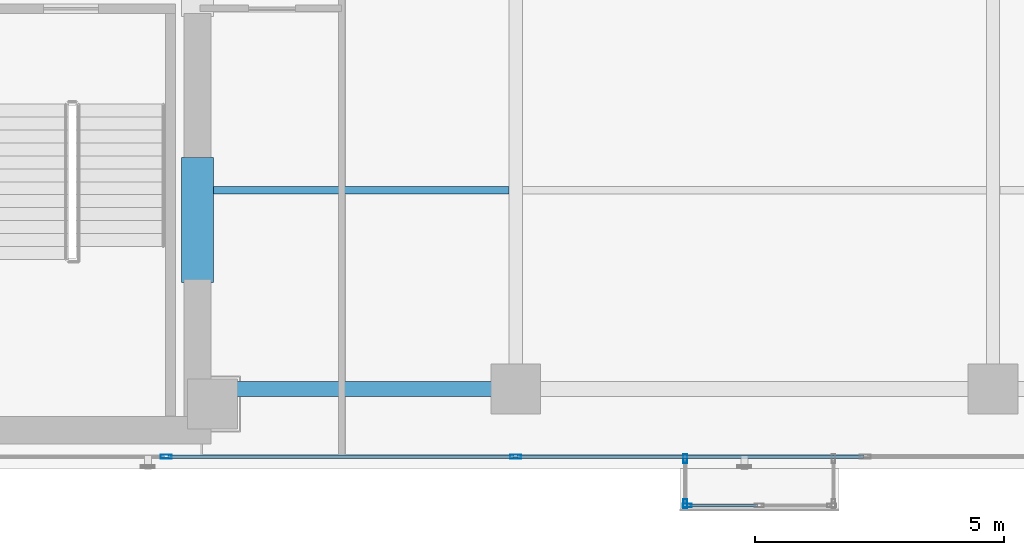
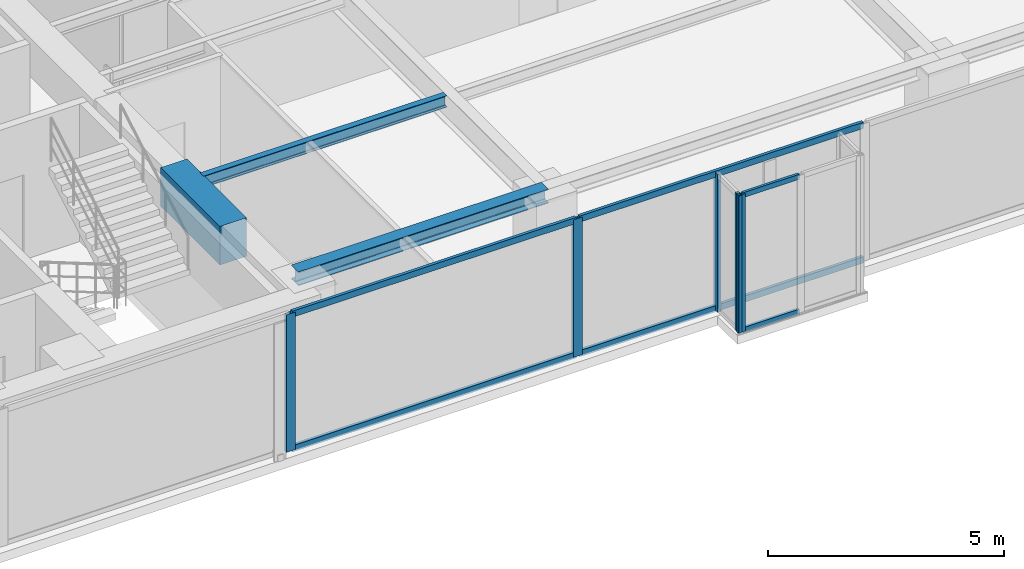
# One storey, part 4 of 23: 11 members, 3 beams, 3 elements without a shape of their own.
"""IFC4 building model written with IfcOpenShell, lengths in metres."""

from ifc_helpers import new_model, si_unit, direction, frame, origin, origin_with_axes, origin_2d, place, context, subcontext, project, spatial, rectangle, hollow_rectangle, i_section, extrude, source, transform, mapped, material, layer, layer_set, material_profile, profile_set, type_object, element, aggregate, save


model = new_model("IFC4")

# Units and contexts
model_context = context("Model", 3, precision=1e-05, world=origin(), true_north=direction((0.0, 1.0)))
body_context = subcontext(model_context, "Body", "Model", "MODEL_VIEW")
ifc_project = project(units=[si_unit("LENGTHUNIT", "METRE"), si_unit("AREAUNIT", "SQUARE_METRE"), si_unit("VOLUMEUNIT", "CUBIC_METRE"), si_unit("PLANEANGLEUNIT", "RADIAN"), si_unit("MASSUNIT", "GRAM", prefix="KILO")], contexts=[model_context])

# Site, building, storey
site_placement = place(None, origin())
site = spatial("IfcSite", under=ifc_project, at=site_placement, CompositionType="ELEMENT")
building_placement = place(site_placement, origin())
building = spatial("IfcBuilding", under=site, at=building_placement, Name="Kolvaren Waterfront Exchange", CompositionType="ELEMENT")
storey_placement = place(building_placement, frame((0.0, 0.0, 250.10009765625)))
storey = spatial("IfcBuildingStorey", under=building, at=storey_placement, Name="L64", CompositionType="ELEMENT", Elevation=250.10009765625)

# Beams
ifc_material_1 = material(Name="Steel S355", Category="steel")
ifc_material_profile_1 = material_profile(ifc_material_1, i_section(OverallWidth=0.300048828125, OverallDepth=0.360107421875, WebThickness=0.012451171875, FlangeThickness=0.0224609375, FilletRadius=0.027099609375, at=origin_2d()), Name="HEB360")
ifc_profile_set_1 = profile_set([ifc_material_profile_1], Name="Steel S355")
beam_type_1 = type_object("IfcBeamType", Name="STR-BM-HEB360", PredefinedType="SPANDREL", material=ifc_profile_set_1)
beam_1_placement = place(storey_placement, frame((21.074951171875, 5.199951171875, 3.3798828125), z_axis=(1.0, 0.0, 0.0), x_axis=(0.0, 1.0, 0.0)))
element("IfcBeam", 1, at=beam_1_placement, inside=storey, type_object=beam_type_1, Name="L64 east-arm spandrel S1", PredefinedType="SPANDREL", context=body_context, shape_type="SweptSolid", body=[
    extrude(i_section(OverallWidth=0.300048828125, OverallDepth=0.360107421875, WebThickness=0.012451171875, FlangeThickness=0.0224609375, FilletRadius=0.027099609375, at=origin_2d()), origin(), (0.0, 0.0, 1.0), 6.125),
])
ifc_material_profile_2 = material_profile(ifc_material_1, i_section(OverallWidth=0.14990234375, OverallDepth=0.300048828125, WebThickness=0.007080078125, FlangeThickness=0.0107421875, FilletRadius=0.014892578125, at=origin_2d()), Name="IPE300")
ifc_profile_set_2 = profile_set([ifc_material_profile_2], Name="Steel S355")
beam_type_2 = type_object("IfcBeamType", Name="STR-BM-IPE300", PredefinedType="JOIST", material=ifc_profile_set_2)
beam_2_placement = place(storey_placement, frame((21.10009765625, 9.199951171875, 3.409912109375), z_axis=(1.0, 0.0, 0.0), x_axis=(0.0, 1.0, 0.0)))
element("IfcBeam", 2, at=beam_2_placement, inside=storey, type_object=beam_type_2, Name="L64 east-arm composite joist 1B", PredefinedType="JOIST", context=body_context, shape_type="SweptSolid", body=[
    extrude(i_section(OverallWidth=0.14990234375, OverallDepth=0.300048828125, WebThickness=0.007080078125, FlangeThickness=0.0107421875, FilletRadius=0.014892578125, at=origin_2d()), origin(), (0.0, 0.0, 1.0), 5.96435546875),
])
ifc_material_2 = material(Name="Concrete C60/75", Category="concrete")
ifc_material_profile_3 = material_profile(ifc_material_2, rectangle(XDim=0.64990234375, YDim=1.0, at=origin_2d()), Name="RC-CB-1000x650")
ifc_profile_set_3 = profile_set([ifc_material_profile_3], Name="Concrete C60/75")
beam_type_3 = type_object("IfcBeamType", Name="STR-CB-1000", PredefinedType="SPANDREL", material=ifc_profile_set_3)
beam_3_placement = place(storey_placement, frame((20.800048828125, 7.340087890625, 3.059814453125), z_axis=(0.0, 1.0, 0.0), x_axis=(-1.0, 0.0, 0.0)))
element("IfcBeam", 3, at=beam_3_placement, inside=storey, type_object=beam_type_3, Name="L64 core coupling beam 1", PredefinedType="SPANDREL", context=body_context, shape_type="SweptSolid", body=[
    extrude(rectangle(XDim=0.64990234375, YDim=1.0, at=origin_2d()), origin(), (0.0, 0.0, 1.0), 2.52001953125),
])

# Curtain wall, members
ifc_material_3 = material(Name="Anodised bronze aluminium 6063-T6", Category="aluminium")
ifc_layer_1 = layer(ifc_material_3, 0.219970703125, Name="Anodised bronze aluminium 6063-T6")
ifc_layer_set_1 = layer_set([ifc_layer_1], Name="Anodised bronze aluminium 6063-T6")
curtain_wall_type_1 = type_object("IfcCurtainWallType", Name="ARC-CW-SYS3", PredefinedType="USERDEFINED", material=ifc_layer_set_1)
curtain_wall_1_placement = place(storey_placement, origin())
curtain_wall_1 = element("IfcCurtainWall", 4, at=curtain_wall_1_placement, inside=storey, type_object=curtain_wall_type_1, Name="L64 stick curtain wall CW3 (CW-L64-BOX)", ObjectType="STICK CURTAIN WALL", PredefinedType="USERDEFINED")
ifc_material_profile_4 = material_profile(ifc_material_3, hollow_rectangle(XDim=0.06494140625, YDim=0.1298828125, WallThickness=0.00390625, at=origin_2d()), Name="ALU-TRN-130x65x4")
ifc_profile_set_4 = profile_set([ifc_material_profile_4], Name="Anodised bronze aluminium 6063-T6")
member_type_1 = type_object("IfcMemberType", Name="ARC-CWT-130", PredefinedType="USERDEFINED", material=ifc_profile_set_4)
shared_shape_1 = source(origin_with_axes(), body_context, "Body", "SweptSolid", [
    extrude(hollow_rectangle(XDim=0.06494140625, YDim=0.1298828125, WallThickness=0.00390625, at=origin_2d()), origin(), (0.0, 0.0, 1.0), 1.37744140625),
])
member_1_placement = place(storey_placement, frame((30.68505859375, 2.860107421875, 0.032470703125), z_axis=(1.0, 0.0, 0.0), x_axis=(0.0, 1.0, 0.0)))
member_1 = element("IfcMember", 5, at=member_1_placement, type_object=member_type_1, Name="CW3 transom 1.1", ObjectType="TRANSOM", PredefinedType="USERDEFINED", context=body_context, shape_type="MappedRepresentation", body=[
    mapped(shared_shape_1, transform((0.0, 0.0, 0.0), x_axis=(1.0, 0.0, 0.0), y_axis=(0.0, 1.0, 0.0), z_axis=(0.0, 0.0, 1.0), scale=1.0)),
])
member_2_placement = place(storey_placement, frame((30.68505859375, 2.860107421875, 3.52734375), z_axis=(1.0, 0.0, 0.0), x_axis=(0.0, 1.0, 0.0)))
member_2 = element("IfcMember", 6, at=member_2_placement, type_object=member_type_1, Name="CW3 transom 1.2", ObjectType="TRANSOM", PredefinedType="USERDEFINED", context=body_context, shape_type="MappedRepresentation", body=[
    mapped(shared_shape_1, transform((0.0, 0.0, 0.0), x_axis=(1.0, 0.0, 0.0), y_axis=(0.0, 1.0, 0.0), z_axis=(0.0, 0.0, 1.0), scale=1.0)),
])

curtain_wall_2_placement = place(storey_placement, origin())
curtain_wall_2 = element("IfcCurtainWall", 7, at=curtain_wall_2_placement, inside=storey, type_object=curtain_wall_type_1, Name="L64 stick curtain wall CW3 (CW-L64-BOX-W)", ObjectType="STICK CURTAIN WALL", PredefinedType="USERDEFINED")
ifc_material_profile_5 = material_profile(ifc_material_3, hollow_rectangle(XDim=0.074951171875, YDim=0.179931640625, WallThickness=0.00439453125, at=origin_2d()), Name="ALU-MUL-180x75x4.5")
ifc_profile_set_5 = profile_set([ifc_material_profile_5], Name="Anodised bronze aluminium 6063-T6")
member_type_2 = type_object("IfcMemberType", Name="ARC-CWM-180", PredefinedType="MULLION", material=ifc_profile_set_5)
shared_shape_2 = source(origin_with_axes(), body_context, "Body", "SweptSolid", [
    extrude(hollow_rectangle(XDim=0.074951171875, YDim=0.179931640625, WallThickness=0.00439453125, at=origin_2d()), origin(), (0.0, 0.0, 1.0), 3.559814453125),
])
member_3_placement = place(storey_placement, frame((30.610107421875, 3.802490234375, 0.0), z_axis=(0.0, 0.0, 1.0), x_axis=(1.0, 0.0, 0.0)))
member_3 = element("IfcMember", 8, at=member_3_placement, type_object=member_type_2, Name="CW3 mullion 1", PredefinedType="MULLION", context=body_context, shape_type="MappedRepresentation", body=[
    mapped(shared_shape_2, transform((0.0, 0.0, 0.0), x_axis=(1.0, 0.0, 0.0), y_axis=(0.0, 1.0, 0.0), z_axis=(0.0, 0.0, 1.0), scale=1.0)),
])
member_4_placement = place(storey_placement, frame((30.610107421875, 2.8974609375, 0.0), z_axis=(0.0, 0.0, 1.0), x_axis=(1.0, 0.0, 0.0)))
member_4 = element("IfcMember", 9, at=member_4_placement, type_object=member_type_2, Name="CW3 mullion 2", PredefinedType="MULLION", context=body_context, shape_type="MappedRepresentation", body=[
    mapped(shared_shape_2, transform((0.0, 0.0, 0.0), x_axis=(1.0, 0.0, 0.0), y_axis=(0.0, 1.0, 0.0), z_axis=(0.0, 0.0, 1.0), scale=1.0)),
])
aggregate(curtain_wall_2, [member_3, member_4])

# Member
member_5_placement = place(storey_placement, frame((30.6474609375, 2.860107421875, 0.0), z_axis=(0.0, 0.0, 1.0), x_axis=(0.0, 1.0, 0.0)))
member_5 = element("IfcMember", 10, at=member_5_placement, type_object=member_type_2, Name="CW3 mullion 1", PredefinedType="MULLION", context=body_context, shape_type="MappedRepresentation", body=[
    mapped(shared_shape_2, transform((0.0, 0.0, 0.0), x_axis=(1.0, 0.0, 0.0), y_axis=(0.0, 1.0, 0.0), z_axis=(0.0, 0.0, 1.0), scale=1.0)),
])

aggregate(curtain_wall_1, [member_5, member_1, member_2])

# Curtain wall, members
ifc_layer_2 = layer(ifc_material_3, 0.219970703125, Name="Anodised bronze aluminium 6063-T6")
ifc_layer_set_2 = layer_set([ifc_layer_2], Name="Anodised bronze aluminium 6063-T6")
curtain_wall_type_2 = type_object("IfcCurtainWallType", Name="ARC-CW-SYS1", PredefinedType="USERDEFINED", material=ifc_layer_set_2)
curtain_wall_3_placement = place(storey_placement, origin())
curtain_wall_3 = element("IfcCurtainWall", 11, at=curtain_wall_3_placement, inside=storey, type_object=curtain_wall_type_2, Name="L64 stick curtain wall CW1 (CW-L64-S)", ObjectType="STICK CURTAIN WALL", PredefinedType="USERDEFINED")
ifc_material_4 = material(Name="Anodised aluminium 6063-T6", Category="aluminium")
ifc_material_profile_6 = material_profile(ifc_material_4, hollow_rectangle(XDim=0.080078125, YDim=0.219970703125, WallThickness=0.0048828125, at=origin_2d()), Name="ALU-MUL-220x80x5")
ifc_profile_set_6 = profile_set([ifc_material_profile_6], Name="Anodised aluminium 6063-T6")
member_type_3 = type_object("IfcMemberType", Name="ARC-CWM-220", PredefinedType="MULLION", material=ifc_profile_set_6)
shared_shape_3 = source(origin_with_axes(), body_context, "Body", "SweptSolid", [
    extrude(hollow_rectangle(XDim=0.080078125, YDim=0.219970703125, WallThickness=0.0048828125, at=origin_2d()), origin(), (0.0, 0.0, 1.0), 3.559814453125),
])
member_6_placement = place(storey_placement, frame((20.166748046875, 3.840087890625, 0.0), z_axis=(0.0, 0.0, 1.0), x_axis=(0.0, 1.0, 0.0)))
member_6 = element("IfcMember", 12, at=member_6_placement, type_object=member_type_3, Name="CW1 mullion 3", PredefinedType="MULLION", context=body_context, shape_type="MappedRepresentation", body=[
    mapped(shared_shape_3, transform((0.0, 0.0, 0.0), x_axis=(1.0, 0.0, 0.0), y_axis=(0.0, 1.0, 0.0), z_axis=(0.0, 0.0, 1.0), scale=1.0)),
])
member_7_placement = place(storey_placement, frame((27.199951171875, 3.840087890625, 0.0), z_axis=(0.0, 0.0, 1.0), x_axis=(0.0, 1.0, 0.0)))
member_7 = element("IfcMember", 13, at=member_7_placement, type_object=member_type_3, Name="CW1 mullion 4", PredefinedType="MULLION", context=body_context, shape_type="MappedRepresentation", body=[
    mapped(shared_shape_3, transform((0.0, 0.0, 0.0), x_axis=(1.0, 0.0, 0.0), y_axis=(0.0, 1.0, 0.0), z_axis=(0.0, 0.0, 1.0), scale=1.0)),
])
ifc_material_profile_7 = material_profile(ifc_material_4, hollow_rectangle(XDim=0.074951171875, YDim=0.159912109375, WallThickness=0.00439453125, at=origin_2d()), Name="ALU-TRN-160x75x4.5")
ifc_profile_set_7 = profile_set([ifc_material_profile_7], Name="Anodised aluminium 6063-T6")
member_type_4 = type_object("IfcMemberType", Name="ARC-CWT-160", PredefinedType="USERDEFINED", material=ifc_profile_set_7)
shared_shape_4 = source(origin_with_axes(), body_context, "Body", "SweptSolid", [
    extrude(hollow_rectangle(XDim=0.074951171875, YDim=0.159912109375, WallThickness=0.00439453125, at=origin_2d()), origin(), (0.0, 0.0, 1.0), 6.953369140625),
])
member_8_placement = place(storey_placement, frame((27.239990234375, 3.840087890625, 0.037353515625), z_axis=(1.0, 0.0, 0.0), x_axis=(0.0, 1.0, 0.0)))
member_8 = element("IfcMember", 14, at=member_8_placement, type_object=member_type_4, Name="CW1 transom 4.1", ObjectType="TRANSOM", PredefinedType="USERDEFINED", context=body_context, shape_type="MappedRepresentation", body=[
    mapped(shared_shape_4, transform((0.0, 0.0, 0.0), x_axis=(1.0, 0.0, 0.0), y_axis=(0.0, 1.0, 0.0), z_axis=(0.0, 0.0, 1.0), scale=1.0)),
])
member_9_placement = place(storey_placement, frame((27.239990234375, 3.840087890625, 3.5224609375), z_axis=(1.0, 0.0, 0.0), x_axis=(0.0, 1.0, 0.0)))
member_9 = element("IfcMember", 15, at=member_9_placement, type_object=member_type_4, Name="CW1 transom 4.2", ObjectType="TRANSOM", PredefinedType="USERDEFINED", context=body_context, shape_type="MappedRepresentation", body=[
    mapped(shared_shape_4, transform((0.0, 0.0, 0.0), x_axis=(1.0, 0.0, 0.0), y_axis=(0.0, 1.0, 0.0), z_axis=(0.0, 0.0, 1.0), scale=1.0)),
])
shared_shape_5 = source(origin_with_axes(), body_context, "Body", "SweptSolid", [
    extrude(hollow_rectangle(XDim=0.074951171875, YDim=0.159912109375, WallThickness=0.00439453125, at=origin_2d()), origin(), (0.0, 0.0, 1.0), 6.953125),
])
member_10_placement = place(storey_placement, frame((20.206787109375, 3.840087890625, 0.037353515625), z_axis=(1.0, 0.0, 0.0), x_axis=(0.0, 1.0, 0.0)))
member_10 = element("IfcMember", 16, at=member_10_placement, type_object=member_type_4, Name="CW1 transom 3.1", ObjectType="TRANSOM", PredefinedType="USERDEFINED", context=body_context, shape_type="MappedRepresentation", body=[
    mapped(shared_shape_5, transform((0.0, 0.0, 0.0), x_axis=(1.0, 0.0, 0.0), y_axis=(0.0, 1.0, 0.0), z_axis=(0.0, 0.0, 1.0), scale=1.0)),
])
member_11_placement = place(storey_placement, frame((20.206787109375, 3.840087890625, 3.5224609375), z_axis=(1.0, 0.0, 0.0), x_axis=(0.0, 1.0, 0.0)))
member_11 = element("IfcMember", 17, at=member_11_placement, type_object=member_type_4, Name="CW1 transom 3.2", ObjectType="TRANSOM", PredefinedType="USERDEFINED", context=body_context, shape_type="MappedRepresentation", body=[
    mapped(shared_shape_5, transform((0.0, 0.0, 0.0), x_axis=(1.0, 0.0, 0.0), y_axis=(0.0, 1.0, 0.0), z_axis=(0.0, 0.0, 1.0), scale=1.0)),
])
aggregate(curtain_wall_3, [member_6, member_7, member_10, member_11, member_8, member_9])

save(model, "model.ifc")
